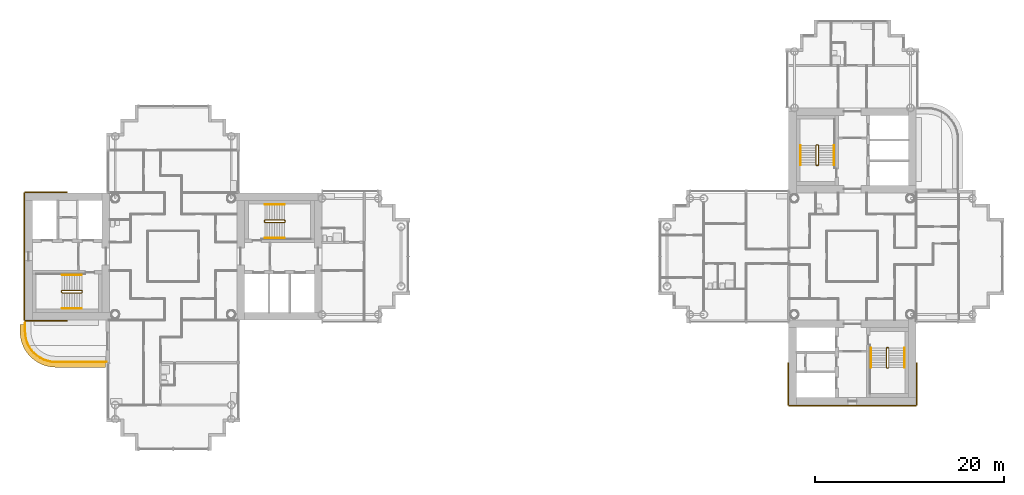
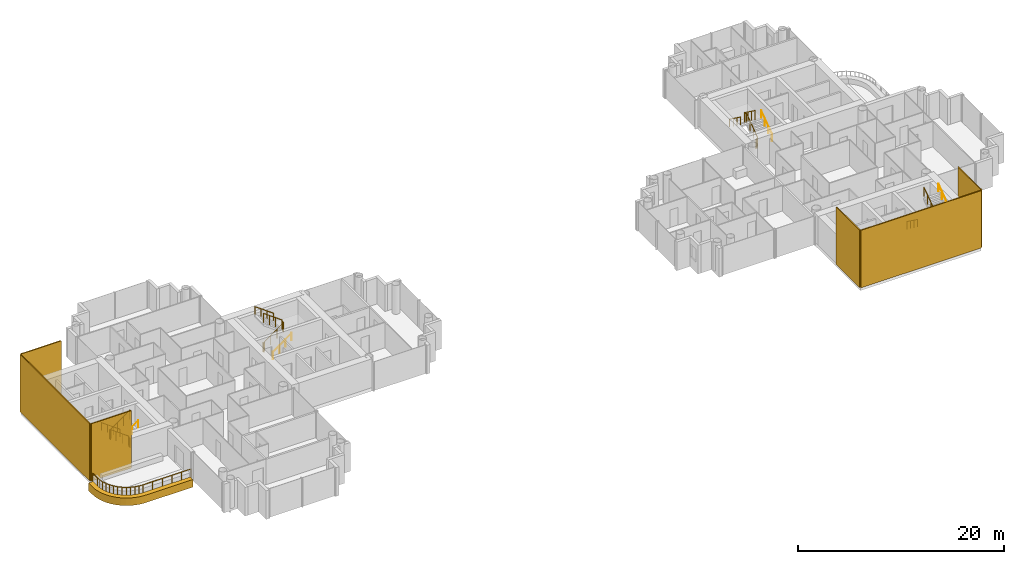
# One storey, part 18 of 20: 13 railings, 7 coverings.
"""IFC4 building model written with IfcOpenShell, lengths in metres."""

from ifc_helpers import new_model, si_unit, direction, frame, origin, origin_2d, place, context, subcontext, project, spatial, polyline, rectangle, circle, outline, extrude, material, layer, layer_set, type_object, element, save


model = new_model("IFC4")

# Units and contexts
model_context = context("Model", 3, precision=1e-05, world=origin(), true_north=direction((0.0, 1.0)))
body_context = subcontext(model_context, "Body", "Model", "MODEL_VIEW")
ifc_project = project(units=[si_unit("LENGTHUNIT", "METRE"), si_unit("AREAUNIT", "SQUARE_METRE"), si_unit("VOLUMEUNIT", "CUBIC_METRE"), si_unit("PLANEANGLEUNIT", "RADIAN"), si_unit("MASSUNIT", "GRAM", prefix="KILO")], contexts=[model_context])

# Site, building, storey
site_placement = place(None, origin())
site = spatial("IfcSite", under=ifc_project, at=site_placement, CompositionType="ELEMENT")
building_placement = place(site_placement, origin())
building = spatial("IfcBuilding", under=site, at=building_placement, Name="Ipe Terrace Towers", CompositionType="ELEMENT")
storey_placement = place(building_placement, frame((0.0, 0.0, 160.89990234375)))
storey = spatial("IfcBuildingStorey", under=building, at=storey_placement, Name="L44", CompositionType="ELEMENT", Elevation=160.89990234375)

# Railing
ifc_material_1 = material(Name="Stainless steel S316", Category="steel")
railing_type_1 = type_object("IfcRailingType", Name="GUARD 1100", PredefinedType="BALUSTRADE", material=ifc_material_1)
railing_1_placement = place(storey_placement, frame((-51.699951171875, -7.070068359375, -0.02001953125)))
element("IfcRailing", 1, at=railing_1_placement, inside=storey, type_object=railing_type_1, Name="guard", PredefinedType="BALUSTRADE", context=body_context, shape_type="SweptSolid", body=[
    extrude(circle(Radius=0.02392578125, at=origin_2d()), frame((0.0, 0.0, 1.076171875), z_axis=(0.0, -1.0, 0.0), x_axis=(1.0, 0.0, 0.0)), (0.0, 0.0, 1.0), 0.8779296875),
    extrude(circle(Radius=0.02392578125, at=origin_2d()), frame((0.0, -0.8779296875, 1.076171875), z_axis=(0.065190546171, -0.997872833927, 0.0), x_axis=(0.997872833927, 0.065190546171, 0.0)), (0.0, 0.0, 1.0), 0.427001953125),
    extrude(circle(Radius=0.02392578125, at=origin_2d()), frame((0.02783203125, -1.303955078125, 1.076171875), z_axis=(0.195232649896, -0.980756958892, 0.0), x_axis=(0.980756958892, 0.195232649896, 0.0)), (0.0, 0.0, 1.0), 0.42529296875),
    extrude(circle(Radius=0.02392578125, at=origin_2d()), frame((0.11083984375, -1.720947265625, 1.076171875), z_axis=(0.320184280026, -0.947355280148, 0.0), x_axis=(0.947355280148, 0.320184280026, 0.0)), (0.0, 0.0, 1.0), 0.425537109375),
    extrude(circle(Radius=0.02392578125, at=origin_2d()), frame((0.2470703125, -2.1240234375, 1.076171875), z_axis=(0.444455160923, -0.895801099535, 0.0), x_axis=(0.895801099535, 0.444455160923, 0.0)), (0.0, 0.0, 1.0), 0.425048828125),
    extrude(circle(Radius=0.02392578125, at=origin_2d()), frame((0.43603515625, -2.5048828125, 1.076171875), z_axis=(0.55549616226, -0.83151910003, 0.0), x_axis=(0.83151910003, 0.55549616226, 0.0)), (0.0, 0.0, 1.0), 0.424560546875),
    extrude(circle(Radius=0.02392578125, at=origin_2d()), frame((0.671875, -2.85791015625, 1.076171875), z_axis=(0.658463964434, -0.752612255774, 0.0), x_axis=(0.752612255774, 0.658463964434, 0.0)), (0.0, 0.0, 1.0), 0.42529296875),
    extrude(circle(Radius=0.02392578125, at=origin_2d()), frame((0.951904296875, -3.177978515625, 1.076171875), z_axis=(0.752612255774, -0.658463964434, 0.0), x_axis=(0.658463964434, 0.752612255774, 0.0)), (0.0, 0.0, 1.0), 0.42529296875),
    extrude(circle(Radius=0.02392578125, at=origin_2d()), frame((1.27197265625, -3.4580078125, 1.076171875), z_axis=(0.83151910003, -0.55549616226, 0.0), x_axis=(0.55549616226, 0.83151910003, 0.0)), (0.0, 0.0, 1.0), 0.424560546875),
    extrude(circle(Radius=0.02392578125, at=origin_2d()), frame((1.625, -3.69384765625, 1.076171875), z_axis=(0.895801099535, -0.444455160923, 0.0), x_axis=(0.444455160923, 0.895801099535, 0.0)), (0.0, 0.0, 1.0), 0.425048828125),
    extrude(circle(Radius=0.02392578125, at=origin_2d()), frame((2.005859375, -3.8828125, 1.076171875), z_axis=(0.947355280148, -0.320184280026, 0.0), x_axis=(0.320184280026, 0.947355280148, 0.0)), (0.0, 0.0, 1.0), 0.425537109375),
    extrude(circle(Radius=0.02392578125, at=origin_2d()), frame((2.408935546875, -4.01904296875, 1.076171875), z_axis=(0.980756958892, -0.195232649896, 0.0), x_axis=(0.195232649896, 0.980756958892, 0.0)), (0.0, 0.0, 1.0), 0.42529296875),
    extrude(circle(Radius=0.02392578125, at=origin_2d()), frame((2.825927734375, -4.10205078125, 1.076171875), z_axis=(0.997872833927, -0.065190546171, 0.0), x_axis=(0.065190546171, 0.997872833927, 0.0)), (0.0, 0.0, 1.0), 0.427001953125),
    extrude(circle(Radius=0.02392578125, at=origin_2d()), frame((3.251953125, -4.1298828125, 1.076171875), z_axis=(1.0, 0.0, 0.0), x_axis=(0.0, 1.0, 0.0)), (0.0, 0.0, 1.0), 5.3779296875),
    extrude(circle(Radius=0.02099609375, at=origin_2d()), origin(), (0.0, 0.0, 1.0), 1.052001953125),
    extrude(circle(Radius=0.02099609375, at=origin_2d()), frame((0.0, -0.8779296875, 0.0)), (0.0, 0.0, 1.0), 1.052001953125),
    extrude(circle(Radius=0.02099609375, at=origin_2d()), frame((0.02783203125, -1.303955078125, 0.0)), (0.0, 0.0, 1.0), 1.052001953125),
    extrude(circle(Radius=0.02099609375, at=origin_2d()), frame((0.11083984375, -1.720947265625, 0.0)), (0.0, 0.0, 1.0), 1.052001953125),
    extrude(circle(Radius=0.02099609375, at=origin_2d()), frame((0.2470703125, -2.1240234375, 0.0)), (0.0, 0.0, 1.0), 1.052001953125),
    extrude(circle(Radius=0.02099609375, at=origin_2d()), frame((0.43603515625, -2.5048828125, 0.0)), (0.0, 0.0, 1.0), 1.052001953125),
    extrude(circle(Radius=0.02099609375, at=origin_2d()), frame((0.671875, -2.85791015625, 0.0)), (0.0, 0.0, 1.0), 1.052001953125),
    extrude(circle(Radius=0.02099609375, at=origin_2d()), frame((0.951904296875, -3.177978515625, 0.0)), (0.0, 0.0, 1.0), 1.052001953125),
    extrude(circle(Radius=0.02099609375, at=origin_2d()), frame((1.27197265625, -3.4580078125, 0.0)), (0.0, 0.0, 1.0), 1.052001953125),
    extrude(circle(Radius=0.02099609375, at=origin_2d()), frame((1.625, -3.69384765625, 0.0)), (0.0, 0.0, 1.0), 1.052001953125),
    extrude(circle(Radius=0.02099609375, at=origin_2d()), frame((2.005859375, -3.8828125, 0.0)), (0.0, 0.0, 1.0), 1.052001953125),
    extrude(circle(Radius=0.02099609375, at=origin_2d()), frame((2.408935546875, -4.01904296875, 0.0)), (0.0, 0.0, 1.0), 1.052001953125),
    extrude(circle(Radius=0.02099609375, at=origin_2d()), frame((2.825927734375, -4.10205078125, 0.0)), (0.0, 0.0, 1.0), 1.052001953125),
    extrude(circle(Radius=0.02099609375, at=origin_2d()), frame((3.251953125, -4.1298828125, 0.0)), (0.0, 0.0, 1.0), 1.052001953125),
    extrude(circle(Radius=0.02099609375, at=origin_2d()), frame((4.32763671875, -4.1298828125, 0.0)), (0.0, 0.0, 1.0), 1.052001953125),
    extrude(circle(Radius=0.02099609375, at=origin_2d()), frame((5.403076171875, -4.1298828125, 0.0)), (0.0, 0.0, 1.0), 1.052001953125),
    extrude(circle(Radius=0.02099609375, at=origin_2d()), frame((6.478759765625, -4.1298828125, 0.0)), (0.0, 0.0, 1.0), 1.052001953125),
    extrude(circle(Radius=0.02099609375, at=origin_2d()), frame((7.55419921875, -4.1298828125, 0.0)), (0.0, 0.0, 1.0), 1.052001953125),
    extrude(circle(Radius=0.02099609375, at=origin_2d()), frame((8.6298828125, -4.1298828125, 0.0)), (0.0, 0.0, 1.0), 1.052001953125),
])

# Coverings
ifc_material_2 = material(Name="Concrete C50/60 precast, buff finish", Category="concrete")
ifc_layer_1 = layer(ifc_material_2, 0.1201171875)
ifc_layer_set_1 = layer_set([ifc_layer_1], Name="STONE CORE CLADDING 120")
covering_type_1 = type_object("IfcCoveringType", Name="STONE CORE CLADDING 120", PredefinedType="CLADDING", material=ifc_layer_set_1)
covering_1_placement = place(storey_placement, frame((-49.5, -6.81005859375, 0.0), z_axis=(0.0, 0.0, 1.0), x_axis=(1.0, 0.0, 0.0)))
element("IfcCovering", 2, at=covering_1_placement, inside=storey, type_object=covering_type_1, Name="stone core cladding", PredefinedType="CLADDING", context=body_context, shape_type="SweptSolid", body=[
    extrude(rectangle(XDim=4.5, YDim=0.1201171875, at=origin_2d()), origin(), (0.0, 0.0, 1.0), 6.800048828125),
])
covering_2_placement = place(storey_placement, frame((-51.81005859375, 0.0, 0.0), z_axis=(0.0, 0.0, 1.0), x_axis=(0.0, -1.0, 0.0)))
element("IfcCovering", 3, at=covering_2_placement, inside=storey, type_object=covering_type_1, Name="stone core cladding", PredefinedType="CLADDING", context=body_context, shape_type="SweptSolid", body=[
    extrude(rectangle(XDim=13.5, YDim=0.1201171875, at=origin_2d()), origin(), (0.0, 0.0, 1.0), 6.800048828125),
])
covering_3_placement = place(storey_placement, frame((-49.5, 6.81005859375, 0.0), z_axis=(0.0, 0.0, 1.0), x_axis=(-1.0, 0.0, 0.0)))
element("IfcCovering", 4, at=covering_3_placement, inside=storey, type_object=covering_type_1, Name="stone core cladding", PredefinedType="CLADDING", context=body_context, shape_type="SweptSolid", body=[
    extrude(rectangle(XDim=4.5, YDim=0.1201171875, at=origin_2d()), origin(), (0.0, 0.0, 1.0), 6.800048828125),
])
covering_4_placement = place(storey_placement, frame((36.0, -15.81005859375, 0.0), z_axis=(0.0, 0.0, 1.0), x_axis=(1.0, 0.0, 0.0)))
element("IfcCovering", 5, at=covering_4_placement, inside=storey, type_object=covering_type_1, Name="stone core cladding", PredefinedType="CLADDING", context=body_context, shape_type="SweptSolid", body=[
    extrude(rectangle(XDim=13.5, YDim=0.1201171875, at=origin_2d()), origin(), (0.0, 0.0, 1.0), 6.800048828125),
])
for number, where, z_axis, x_axis, name in (
    (6, (29.18994140625, -13.5, 0.0), (0.0, 0.0, 1.0), (0.0, -1.0, 0.0), "stone core cladding"),
    (7, (42.81005859375, -13.5, 0.0), (0.0, 0.0, 1.0), (0.0, 1.0, 0.0), "stone core cladding"),
):
    element("IfcCovering", number, at=place(storey_placement, frame(where, z_axis=z_axis, x_axis=x_axis)), inside=storey, type_object=covering_type_1, Name=name, PredefinedType="CLADDING", context=body_context, shape_type="SweptSolid", body=[
        extrude(rectangle(XDim=4.5, YDim=0.1201171875, at=origin_2d()), origin(), (0.0, 0.0, 1.0), 6.800048828125),
    ])
ifc_material_3 = material(Name="Concrete C50/60 precast, buff finish", Category="concrete")
ifc_layer_2 = layer(ifc_material_3, 0.5)
ifc_layer_set_2 = layer_set([ifc_layer_2], Name="STONE EDGE BAND 500 x 900")
covering_type_2 = type_object("IfcCoveringType", Name="STONE EDGE BAND 500 x 900", PredefinedType="CLADDING", material=ifc_layer_set_2)
covering_5_placement = place(storey_placement, frame((0.0, 0.0, -0.719970703125)))
element("IfcCovering", 8, at=covering_5_placement, inside=storey, type_object=covering_type_2, Name="stone edge band", PredefinedType="CLADDING", context=body_context, shape_type="SweptSolid", body=[
    extrude(outline(polyline([(-48.449951171875, -11.75), (-43.199951171875, -11.75), (-43.199951171875, -11.25), (-48.449951171875, -11.25), (-48.881103515625, -11.221923828125), (-49.303955078125, -11.137939453125), (-49.712890625, -10.9990234375), (-50.10009765625, -10.80810546875), (-50.458984375, -10.568115234375), (-50.782958984375, -10.282958984375), (-51.068115234375, -9.958984375), (-51.30810546875, -9.60009765625), (-51.4990234375, -9.212890625), (-51.637939453125, -8.803955078125), (-51.721923828125, -8.381103515625), (-51.75, -7.949951171875), (-51.75, -7.199951171875), (-52.25, -7.199951171875), (-52.25, -7.949951171875), (-52.2490234375, -7.98291015625), (-52.220947265625, -8.4130859375), (-52.2119140625, -8.47802734375), (-52.1279296875, -8.902099609375), (-52.111083984375, -8.965087890625), (-51.971923828125, -9.3740234375), (-51.947021484375, -9.43408203125), (-51.756103515625, -9.821044921875), (-51.72412109375, -9.8779296875), (-51.48388671875, -10.237060546875), (-51.444091796875, -10.2890625), (-51.158935546875, -10.613037109375), (-51.113037109375, -10.658935546875), (-50.7890625, -10.944091796875), (-50.737060546875, -10.98388671875), (-50.3779296875, -11.22412109375), (-50.321044921875, -11.256103515625), (-49.93408203125, -11.447021484375), (-49.8740234375, -11.471923828125), (-49.465087890625, -11.611083984375), (-49.402099609375, -11.6279296875), (-48.97802734375, -11.7119140625), (-48.9130859375, -11.720947265625), (-48.48291015625, -11.7490234375), (-48.449951171875, -11.75)])), origin(), (0.0, 0.0, 1.0), 0.900146484375),
])

# Railings
ifc_material_4 = material(Name="Steel S355", Category="steel")
railing_type_2 = type_object("IfcRailingType", Name="Stair guard 1100", PredefinedType="GUARDRAIL", material=ifc_material_4)
railing_2_placement = place(storey_placement, frame((-26.35009765625, 3.800048828125, 0.0)))
element("IfcRailing", 9, at=railing_2_placement, inside=storey, type_object=railing_type_2, Name="L44 T1-ST1 stair guard 1", PredefinedType="GUARDRAIL", context=body_context, shape_type="SweptSolid", body=[
    extrude(circle(Radius=0.02392578125, at=origin_2d()), frame((0.0, 0.0, 1.076171875), z_axis=(0.0, -1.0, 0.0), x_axis=(1.0, 0.0, 0.0)), (0.0, 0.0, 1.0), 0.150146484375),
    extrude(circle(Radius=0.02392578125, at=origin_2d()), frame((0.0, -0.150146484375, 1.076171875), z_axis=(0.248103849378, -0.246893586699, 0.936743314239), x_axis=(0.705375805398, 0.708833529934, 0.0)), (0.0, 0.0, 1.0), 0.20166015625),
    extrude(circle(Radius=0.02392578125, at=origin_2d()), frame((0.050048828125, -0.199951171875, 1.26513671875), z_axis=(0.809023421508, 0.0, 0.587776406001), x_axis=(0.0, 1.0, 0.0)), (0.0, 0.0, 1.0), 2.571044921875),
    extrude(circle(Radius=0.02392578125, at=origin_2d()), frame((2.130126953125, -0.199951171875, 2.7763671875), z_axis=(0.708833529934, 0.705375805398, 0.0), x_axis=(-0.705375805398, 0.708833529934, 0.0)), (0.0, 0.0, 1.0), 0.070556640625),
    extrude(circle(Radius=0.02392578125, at=origin_2d()), frame((2.18017578125, -0.150146484375, 2.7763671875), z_axis=(0.0, 1.0, 0.0), x_axis=(-1.0, 0.0, 0.0)), (0.0, 0.0, 1.0), 0.150146484375),
    extrude(circle(Radius=0.02392578125, at=origin_2d()), frame((2.18017578125, 0.0, 2.7763671875), z_axis=(-0.248310886586, 0.248310886586, 0.936313733321), x_axis=(-0.707106781187, -0.707106781187, 0.0)), (0.0, 0.0, 1.0), 0.20166015625),
    extrude(circle(Radius=0.02392578125, at=origin_2d()), frame((2.130126953125, 0.050048828125, 2.96484375), z_axis=(-0.809023421508, 0.0, 0.587776406001), x_axis=(0.0, -1.0, 0.0)), (0.0, 0.0, 1.0), 2.571044921875),
    extrude(circle(Radius=0.02099609375, at=origin_2d()), origin(), (0.0, 0.0, 1.0), 1.052001953125),
    extrude(circle(Radius=0.02099609375, at=origin_2d()), frame((0.0, -0.150146484375, 0.0)), (0.0, 0.0, 1.0), 1.052001953125),
    extrude(circle(Radius=0.02099609375, at=origin_2d()), frame((0.050048828125, -0.199951171875, 0.18896484375)), (0.0, 0.0, 1.0), 1.052001953125),
    extrude(circle(Radius=0.02099609375, at=origin_2d()), frame((0.743408203125, -0.199951171875, 0.692626953125)), (0.0, 0.0, 1.0), 1.052001953125),
    extrude(circle(Radius=0.02099609375, at=origin_2d()), frame((1.436767578125, -0.199951171875, 1.196533203125)), (0.0, 0.0, 1.0), 1.052001953125),
    extrude(circle(Radius=0.02099609375, at=origin_2d()), frame((2.130126953125, -0.199951171875, 1.7001953125)), (0.0, 0.0, 1.0), 1.052001953125),
    extrude(circle(Radius=0.02099609375, at=origin_2d()), frame((2.18017578125, -0.150146484375, 1.7001953125)), (0.0, 0.0, 1.0), 1.052001953125),
    extrude(circle(Radius=0.02099609375, at=origin_2d()), frame((2.18017578125, 0.0, 1.7001953125)), (0.0, 0.0, 1.0), 1.052001953125),
    extrude(circle(Radius=0.02099609375, at=origin_2d()), frame((2.130126953125, 0.050048828125, 1.888916015625)), (0.0, 0.0, 1.0), 1.052001953125),
    extrude(circle(Radius=0.02099609375, at=origin_2d()), frame((1.436767578125, 0.050048828125, 2.392578125)), (0.0, 0.0, 1.0), 1.052001953125),
    extrude(circle(Radius=0.02099609375, at=origin_2d()), frame((0.743408203125, 0.050048828125, 2.896484375)), (0.0, 0.0, 1.0), 1.052001953125),
    extrude(circle(Radius=0.02099609375, at=origin_2d()), frame((0.050048828125, 0.050048828125, 3.400146484375)), (0.0, 0.0, 1.0), 1.052001953125),
])
railing_3_placement = place(storey_placement, frame((-45.64990234375, -3.800048828125, 0.0)))
element("IfcRailing", 10, at=railing_3_placement, inside=storey, type_object=railing_type_2, Name="L44 T1-ST2 stair guard 1", PredefinedType="GUARDRAIL", context=body_context, shape_type="SweptSolid", body=[
    extrude(circle(Radius=0.02392578125, at=origin_2d()), frame((0.0, 0.0, 1.076171875), z_axis=(0.0, 1.0, 0.0), x_axis=(-1.0, 0.0, 0.0)), (0.0, 0.0, 1.0), 0.150146484375),
    extrude(circle(Radius=0.02392578125, at=origin_2d()), frame((0.0, 0.150146484375, 1.076171875), z_axis=(-0.248103849378, 0.246893586699, 0.936743314239), x_axis=(-0.705375805398, -0.708833529934, 0.0)), (0.0, 0.0, 1.0), 0.20166015625),
    extrude(circle(Radius=0.02392578125, at=origin_2d()), frame((-0.050048828125, 0.199951171875, 1.26513671875), z_axis=(-0.809023421508, 0.0, 0.587776406001), x_axis=(0.0, -1.0, 0.0)), (0.0, 0.0, 1.0), 2.571044921875),
    extrude(circle(Radius=0.02392578125, at=origin_2d()), frame((-2.130126953125, 0.199951171875, 2.7763671875), z_axis=(-0.708833529934, -0.705375805398, 0.0), x_axis=(0.705375805398, -0.708833529934, 0.0)), (0.0, 0.0, 1.0), 0.070556640625),
    extrude(circle(Radius=0.02392578125, at=origin_2d()), frame((-2.18017578125, 0.150146484375, 2.7763671875), z_axis=(0.0, -1.0, 0.0), x_axis=(1.0, 0.0, 0.0)), (0.0, 0.0, 1.0), 0.150146484375),
    extrude(circle(Radius=0.02392578125, at=origin_2d()), frame((-2.18017578125, 0.0, 2.7763671875), z_axis=(0.248310886586, -0.248310886586, 0.936313733321), x_axis=(0.707106781187, 0.707106781187, 0.0)), (0.0, 0.0, 1.0), 0.20166015625),
    extrude(circle(Radius=0.02392578125, at=origin_2d()), frame((-2.130126953125, -0.050048828125, 2.96484375), z_axis=(0.809023421508, 0.0, 0.587776406001), x_axis=(0.0, 1.0, 0.0)), (0.0, 0.0, 1.0), 2.571044921875),
    extrude(circle(Radius=0.02099609375, at=origin_2d()), origin(), (0.0, 0.0, 1.0), 1.052001953125),
    extrude(circle(Radius=0.02099609375, at=origin_2d()), frame((0.0, 0.150146484375, 0.0)), (0.0, 0.0, 1.0), 1.052001953125),
    extrude(circle(Radius=0.02099609375, at=origin_2d()), frame((-0.050048828125, 0.199951171875, 0.18896484375)), (0.0, 0.0, 1.0), 1.052001953125),
    extrude(circle(Radius=0.02099609375, at=origin_2d()), frame((-0.743408203125, 0.199951171875, 0.692626953125)), (0.0, 0.0, 1.0), 1.052001953125),
    extrude(circle(Radius=0.02099609375, at=origin_2d()), frame((-1.436767578125, 0.199951171875, 1.196533203125)), (0.0, 0.0, 1.0), 1.052001953125),
    extrude(circle(Radius=0.02099609375, at=origin_2d()), frame((-2.130126953125, 0.199951171875, 1.7001953125)), (0.0, 0.0, 1.0), 1.052001953125),
    extrude(circle(Radius=0.02099609375, at=origin_2d()), frame((-2.18017578125, 0.150146484375, 1.7001953125)), (0.0, 0.0, 1.0), 1.052001953125),
    extrude(circle(Radius=0.02099609375, at=origin_2d()), frame((-2.18017578125, 0.0, 1.7001953125)), (0.0, 0.0, 1.0), 1.052001953125),
    extrude(circle(Radius=0.02099609375, at=origin_2d()), frame((-2.130126953125, -0.050048828125, 1.888916015625)), (0.0, 0.0, 1.0), 1.052001953125),
    extrude(circle(Radius=0.02099609375, at=origin_2d()), frame((-1.436767578125, -0.050048828125, 2.392578125)), (0.0, 0.0, 1.0), 1.052001953125),
    extrude(circle(Radius=0.02099609375, at=origin_2d()), frame((-0.743408203125, -0.050048828125, 2.896484375)), (0.0, 0.0, 1.0), 1.052001953125),
    extrude(circle(Radius=0.02099609375, at=origin_2d()), frame((-0.050048828125, -0.050048828125, 3.400146484375)), (0.0, 0.0, 1.0), 1.052001953125),
])
railing_4_placement = place(storey_placement, frame((32.199951171875, 9.64990234375, 0.0)))
element("IfcRailing", 11, at=railing_4_placement, inside=storey, type_object=railing_type_2, Name="L44 T2-ST1 stair guard 1", PredefinedType="GUARDRAIL", context=body_context, shape_type="SweptSolid", body=[
    extrude(circle(Radius=0.02392578125, at=origin_2d()), frame((0.0, 0.0, 1.076171875), z_axis=(1.0, 0.0, 0.0), x_axis=(0.0, 1.0, 0.0)), (0.0, 0.0, 1.0), 0.150146484375),
    extrude(circle(Radius=0.02392578125, at=origin_2d()), frame((0.150146484375, 0.0, 1.076171875), z_axis=(0.246893586699, 0.248103849378, 0.936743314239), x_axis=(-0.708833529934, 0.705375805398, 0.0)), (0.0, 0.0, 1.0), 0.20166015625),
    extrude(circle(Radius=0.02392578125, at=origin_2d()), frame((0.199951171875, 0.050048828125, 1.26513671875), z_axis=(0.0, 0.809023421508, 0.587776406001), x_axis=(-1.0, 0.0, 0.0)), (0.0, 0.0, 1.0), 2.571044921875),
    extrude(circle(Radius=0.02392578125, at=origin_2d()), frame((0.199951171875, 2.130126953125, 2.7763671875), z_axis=(-0.705375805398, 0.708833529934, 0.0), x_axis=(-0.708833529934, -0.705375805398, 0.0)), (0.0, 0.0, 1.0), 0.070556640625),
    extrude(circle(Radius=0.02392578125, at=origin_2d()), frame((0.150146484375, 2.18017578125, 2.7763671875), z_axis=(-1.0, 0.0, 0.0), x_axis=(0.0, -1.0, 0.0)), (0.0, 0.0, 1.0), 0.150146484375),
    extrude(circle(Radius=0.02392578125, at=origin_2d()), frame((0.0, 2.18017578125, 2.7763671875), z_axis=(-0.248310886586, -0.248310886586, 0.936313733321), x_axis=(0.707106781187, -0.707106781187, 0.0)), (0.0, 0.0, 1.0), 0.20166015625),
    extrude(circle(Radius=0.02392578125, at=origin_2d()), frame((-0.050048828125, 2.130126953125, 2.96484375), z_axis=(0.0, -0.809023421508, 0.587776406001), x_axis=(1.0, 0.0, 0.0)), (0.0, 0.0, 1.0), 2.571044921875),
    extrude(circle(Radius=0.02099609375, at=origin_2d()), origin(), (0.0, 0.0, 1.0), 1.052001953125),
    extrude(circle(Radius=0.02099609375, at=origin_2d()), frame((0.150146484375, 0.0, 0.0)), (0.0, 0.0, 1.0), 1.052001953125),
    extrude(circle(Radius=0.02099609375, at=origin_2d()), frame((0.199951171875, 0.050048828125, 0.18896484375)), (0.0, 0.0, 1.0), 1.052001953125),
    extrude(circle(Radius=0.02099609375, at=origin_2d()), frame((0.199951171875, 0.743408203125, 0.692626953125)), (0.0, 0.0, 1.0), 1.052001953125),
    extrude(circle(Radius=0.02099609375, at=origin_2d()), frame((0.199951171875, 1.436767578125, 1.196533203125)), (0.0, 0.0, 1.0), 1.052001953125),
    extrude(circle(Radius=0.02099609375, at=origin_2d()), frame((0.199951171875, 2.130126953125, 1.7001953125)), (0.0, 0.0, 1.0), 1.052001953125),
    extrude(circle(Radius=0.02099609375, at=origin_2d()), frame((0.150146484375, 2.18017578125, 1.7001953125)), (0.0, 0.0, 1.0), 1.052001953125),
    extrude(circle(Radius=0.02099609375, at=origin_2d()), frame((0.0, 2.18017578125, 1.7001953125)), (0.0, 0.0, 1.0), 1.052001953125),
    extrude(circle(Radius=0.02099609375, at=origin_2d()), frame((-0.050048828125, 2.130126953125, 1.888916015625)), (0.0, 0.0, 1.0), 1.052001953125),
    extrude(circle(Radius=0.02099609375, at=origin_2d()), frame((-0.050048828125, 1.436767578125, 2.392578125)), (0.0, 0.0, 1.0), 1.052001953125),
    extrude(circle(Radius=0.02099609375, at=origin_2d()), frame((-0.050048828125, 0.743408203125, 2.896484375)), (0.0, 0.0, 1.0), 1.052001953125),
    extrude(circle(Radius=0.02099609375, at=origin_2d()), frame((-0.050048828125, 0.050048828125, 3.400146484375)), (0.0, 0.0, 1.0), 1.052001953125),
])
railing_5_placement = place(storey_placement, frame((39.800048828125, -9.64990234375, 0.0)))
element("IfcRailing", 12, at=railing_5_placement, inside=storey, type_object=railing_type_2, Name="L44 T2-ST2 stair guard 1", PredefinedType="GUARDRAIL", context=body_context, shape_type="SweptSolid", body=[
    extrude(circle(Radius=0.02392578125, at=origin_2d()), frame((0.0, 0.0, 1.076171875), z_axis=(-1.0, 0.0, 0.0), x_axis=(0.0, -1.0, 0.0)), (0.0, 0.0, 1.0), 0.150146484375),
    extrude(circle(Radius=0.02392578125, at=origin_2d()), frame((-0.150146484375, 0.0, 1.076171875), z_axis=(-0.246893586699, -0.248103849378, 0.936743314239), x_axis=(0.708833529934, -0.705375805398, 0.0)), (0.0, 0.0, 1.0), 0.20166015625),
    extrude(circle(Radius=0.02392578125, at=origin_2d()), frame((-0.199951171875, -0.050048828125, 1.26513671875), z_axis=(0.0, -0.809023421508, 0.587776406001), x_axis=(1.0, 0.0, 0.0)), (0.0, 0.0, 1.0), 2.571044921875),
    extrude(circle(Radius=0.02392578125, at=origin_2d()), frame((-0.199951171875, -2.130126953125, 2.7763671875), z_axis=(0.705375805398, -0.708833529934, 0.0), x_axis=(0.708833529934, 0.705375805398, 0.0)), (0.0, 0.0, 1.0), 0.070556640625),
    extrude(circle(Radius=0.02392578125, at=origin_2d()), frame((-0.150146484375, -2.18017578125, 2.7763671875), z_axis=(1.0, 0.0, 0.0), x_axis=(0.0, 1.0, 0.0)), (0.0, 0.0, 1.0), 0.150146484375),
    extrude(circle(Radius=0.02392578125, at=origin_2d()), frame((0.0, -2.18017578125, 2.7763671875), z_axis=(0.248310886586, 0.248310886586, 0.936313733321), x_axis=(-0.707106781187, 0.707106781187, 0.0)), (0.0, 0.0, 1.0), 0.20166015625),
    extrude(circle(Radius=0.02392578125, at=origin_2d()), frame((0.050048828125, -2.130126953125, 2.96484375), z_axis=(0.0, 0.809023421508, 0.587776406001), x_axis=(-1.0, 0.0, 0.0)), (0.0, 0.0, 1.0), 2.571044921875),
    extrude(circle(Radius=0.02099609375, at=origin_2d()), origin(), (0.0, 0.0, 1.0), 1.052001953125),
    extrude(circle(Radius=0.02099609375, at=origin_2d()), frame((-0.150146484375, 0.0, 0.0)), (0.0, 0.0, 1.0), 1.052001953125),
    extrude(circle(Radius=0.02099609375, at=origin_2d()), frame((-0.199951171875, -0.050048828125, 0.18896484375)), (0.0, 0.0, 1.0), 1.052001953125),
    extrude(circle(Radius=0.02099609375, at=origin_2d()), frame((-0.199951171875, -0.743408203125, 0.692626953125)), (0.0, 0.0, 1.0), 1.052001953125),
    extrude(circle(Radius=0.02099609375, at=origin_2d()), frame((-0.199951171875, -1.436767578125, 1.196533203125)), (0.0, 0.0, 1.0), 1.052001953125),
    extrude(circle(Radius=0.02099609375, at=origin_2d()), frame((-0.199951171875, -2.130126953125, 1.7001953125)), (0.0, 0.0, 1.0), 1.052001953125),
    extrude(circle(Radius=0.02099609375, at=origin_2d()), frame((-0.150146484375, -2.18017578125, 1.7001953125)), (0.0, 0.0, 1.0), 1.052001953125),
    extrude(circle(Radius=0.02099609375, at=origin_2d()), frame((0.0, -2.18017578125, 1.7001953125)), (0.0, 0.0, 1.0), 1.052001953125),
    extrude(circle(Radius=0.02099609375, at=origin_2d()), frame((0.050048828125, -2.130126953125, 1.888916015625)), (0.0, 0.0, 1.0), 1.052001953125),
    extrude(circle(Radius=0.02099609375, at=origin_2d()), frame((0.050048828125, -1.436767578125, 2.392578125)), (0.0, 0.0, 1.0), 1.052001953125),
    extrude(circle(Radius=0.02099609375, at=origin_2d()), frame((0.050048828125, -0.743408203125, 2.896484375)), (0.0, 0.0, 1.0), 1.052001953125),
    extrude(circle(Radius=0.02099609375, at=origin_2d()), frame((0.050048828125, -0.050048828125, 3.400146484375)), (0.0, 0.0, 1.0), 1.052001953125),
])
ifc_material_5 = material(Name="Stainless steel grade 304", Category="steel")
railing_type_3 = type_object("IfcRailingType", Name="Stair handrail 900", PredefinedType="HANDRAIL", material=ifc_material_5)
railing_6_placement = place(storey_placement, frame((-26.300048828125, 1.949951171875, 0.18896484375)))
element("IfcRailing", 13, at=railing_6_placement, inside=storey, type_object=railing_type_3, Name="L44 T1-ST1 stair handrail 1", PredefinedType="HANDRAIL", context=body_context, shape_type="SweptSolid", body=[
    extrude(circle(Radius=0.02392578125, at=origin_2d()), frame((0.0, 0.0, 0.8759765625), z_axis=(0.809023421508, 0.0, 0.587776406001), x_axis=(0.0, 1.0, 0.0)), (0.0, 0.0, 1.0), 2.571044921875),
    extrude(circle(Radius=0.02099609375, at=origin_2d()), origin(), (0.0, 0.0, 1.0), 0.851806640625),
    extrude(circle(Radius=0.02099609375, at=origin_2d()), frame((0.693359375, 0.0, 0.503662109375)), (0.0, 0.0, 1.0), 0.851806640625),
    extrude(circle(Radius=0.02099609375, at=origin_2d()), frame((1.38671875, 0.0, 1.007568359375)), (0.0, 0.0, 1.0), 0.851806640625),
    extrude(circle(Radius=0.02099609375, at=origin_2d()), frame((2.080078125, 0.0, 1.51123046875)), (0.0, 0.0, 1.0), 0.851806640625),
])
for number, where, name in (
    (14, (-24.219970703125, 5.5, 1.888916015625), "L44 T1-ST1 stair handrail 2"),
    (15, (-45.699951171875, -1.949951171875, 0.18896484375), "L44 T1-ST2 stair handrail 1"),
):
    element("IfcRailing", number, at=place(storey_placement, frame(where)), inside=storey, type_object=railing_type_3, Name=name, PredefinedType="HANDRAIL", context=body_context, shape_type="SweptSolid", body=[
        extrude(circle(Radius=0.02392578125, at=origin_2d()), frame((0.0, 0.0, 0.8759765625), z_axis=(-0.809023421508, 0.0, 0.587776406001), x_axis=(0.0, -1.0, 0.0)), (0.0, 0.0, 1.0), 2.571044921875),
        extrude(circle(Radius=0.02099609375, at=origin_2d()), origin(), (0.0, 0.0, 1.0), 0.851806640625),
        extrude(circle(Radius=0.02099609375, at=origin_2d()), frame((-0.693359375, 0.0, 0.503662109375)), (0.0, 0.0, 1.0), 0.851806640625),
        extrude(circle(Radius=0.02099609375, at=origin_2d()), frame((-1.38671875, 0.0, 1.007568359375)), (0.0, 0.0, 1.0), 0.851806640625),
        extrude(circle(Radius=0.02099609375, at=origin_2d()), frame((-2.080078125, 0.0, 1.51123046875)), (0.0, 0.0, 1.0), 0.851806640625),
    ])
railing_7_placement = place(storey_placement, frame((-47.780029296875, -5.5, 1.888916015625)))
element("IfcRailing", 16, at=railing_7_placement, inside=storey, type_object=railing_type_3, Name="L44 T1-ST2 stair handrail 2", PredefinedType="HANDRAIL", context=body_context, shape_type="SweptSolid", body=[
    extrude(circle(Radius=0.02392578125, at=origin_2d()), frame((0.0, 0.0, 0.8759765625), z_axis=(0.809023421508, 0.0, 0.587776406001), x_axis=(0.0, 1.0, 0.0)), (0.0, 0.0, 1.0), 2.571044921875),
    extrude(circle(Radius=0.02099609375, at=origin_2d()), origin(), (0.0, 0.0, 1.0), 0.851806640625),
    extrude(circle(Radius=0.02099609375, at=origin_2d()), frame((0.693359375, 0.0, 0.503662109375)), (0.0, 0.0, 1.0), 0.851806640625),
    extrude(circle(Radius=0.02099609375, at=origin_2d()), frame((1.38671875, 0.0, 1.007568359375)), (0.0, 0.0, 1.0), 0.851806640625),
    extrude(circle(Radius=0.02099609375, at=origin_2d()), frame((2.080078125, 0.0, 1.51123046875)), (0.0, 0.0, 1.0), 0.851806640625),
])
railing_8_placement = place(storey_placement, frame((34.050048828125, 9.699951171875, 0.18896484375)))
element("IfcRailing", 17, at=railing_8_placement, inside=storey, type_object=railing_type_3, Name="L44 T2-ST1 stair handrail 1", PredefinedType="HANDRAIL", context=body_context, shape_type="SweptSolid", body=[
    extrude(circle(Radius=0.02392578125, at=origin_2d()), frame((0.0, 0.0, 0.8759765625), z_axis=(0.0, 0.809023421508, 0.587776406001), x_axis=(-1.0, 0.0, 0.0)), (0.0, 0.0, 1.0), 2.571044921875),
    extrude(circle(Radius=0.02099609375, at=origin_2d()), origin(), (0.0, 0.0, 1.0), 0.851806640625),
    extrude(circle(Radius=0.02099609375, at=origin_2d()), frame((0.0, 0.693359375, 0.503662109375)), (0.0, 0.0, 1.0), 0.851806640625),
    extrude(circle(Radius=0.02099609375, at=origin_2d()), frame((0.0, 1.38671875, 1.007568359375)), (0.0, 0.0, 1.0), 0.851806640625),
    extrude(circle(Radius=0.02099609375, at=origin_2d()), frame((0.0, 2.080078125, 1.51123046875)), (0.0, 0.0, 1.0), 0.851806640625),
])
for number, where, name in (
    (18, (30.5, 11.780029296875, 1.888916015625), "L44 T2-ST1 stair handrail 2"),
    (19, (37.949951171875, -9.699951171875, 0.18896484375), "L44 T2-ST2 stair handrail 1"),
):
    element("IfcRailing", number, at=place(storey_placement, frame(where)), inside=storey, type_object=railing_type_3, Name=name, PredefinedType="HANDRAIL", context=body_context, shape_type="SweptSolid", body=[
        extrude(circle(Radius=0.02392578125, at=origin_2d()), frame((0.0, 0.0, 0.8759765625), z_axis=(0.0, -0.809023421508, 0.587776406001), x_axis=(1.0, 0.0, 0.0)), (0.0, 0.0, 1.0), 2.571044921875),
        extrude(circle(Radius=0.02099609375, at=origin_2d()), origin(), (0.0, 0.0, 1.0), 0.851806640625),
        extrude(circle(Radius=0.02099609375, at=origin_2d()), frame((0.0, -0.693359375, 0.503662109375)), (0.0, 0.0, 1.0), 0.851806640625),
        extrude(circle(Radius=0.02099609375, at=origin_2d()), frame((0.0, -1.38671875, 1.007568359375)), (0.0, 0.0, 1.0), 0.851806640625),
        extrude(circle(Radius=0.02099609375, at=origin_2d()), frame((0.0, -2.080078125, 1.51123046875)), (0.0, 0.0, 1.0), 0.851806640625),
    ])
railing_9_placement = place(storey_placement, frame((41.5, -11.780029296875, 1.888916015625)))
element("IfcRailing", 20, at=railing_9_placement, inside=storey, type_object=railing_type_3, Name="L44 T2-ST2 stair handrail 2", PredefinedType="HANDRAIL", context=body_context, shape_type="SweptSolid", body=[
    extrude(circle(Radius=0.02392578125, at=origin_2d()), frame((0.0, 0.0, 0.8759765625), z_axis=(0.0, 0.809023421508, 0.587776406001), x_axis=(-1.0, 0.0, 0.0)), (0.0, 0.0, 1.0), 2.571044921875),
    extrude(circle(Radius=0.02099609375, at=origin_2d()), origin(), (0.0, 0.0, 1.0), 0.851806640625),
    extrude(circle(Radius=0.02099609375, at=origin_2d()), frame((0.0, 0.693359375, 0.503662109375)), (0.0, 0.0, 1.0), 0.851806640625),
    extrude(circle(Radius=0.02099609375, at=origin_2d()), frame((0.0, 1.38671875, 1.007568359375)), (0.0, 0.0, 1.0), 0.851806640625),
    extrude(circle(Radius=0.02099609375, at=origin_2d()), frame((0.0, 2.080078125, 1.51123046875)), (0.0, 0.0, 1.0), 0.851806640625),
])

save(model, "model.ifc")
